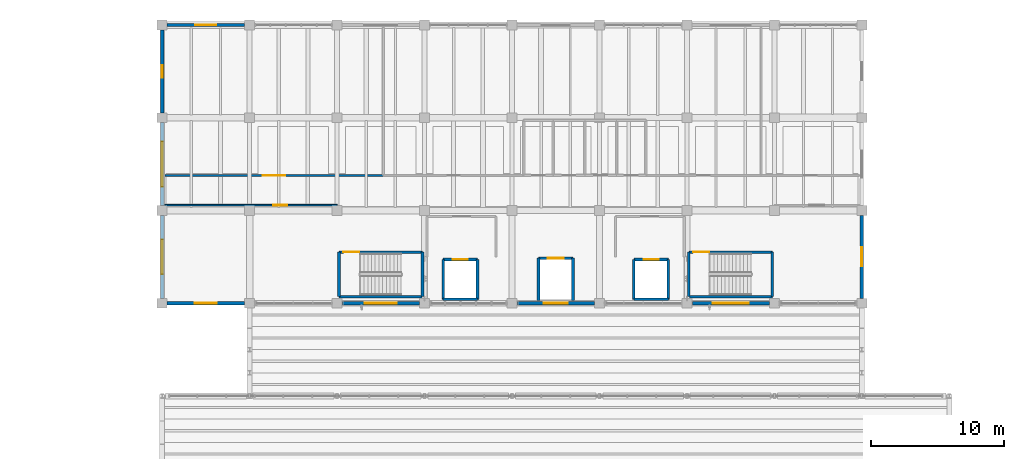
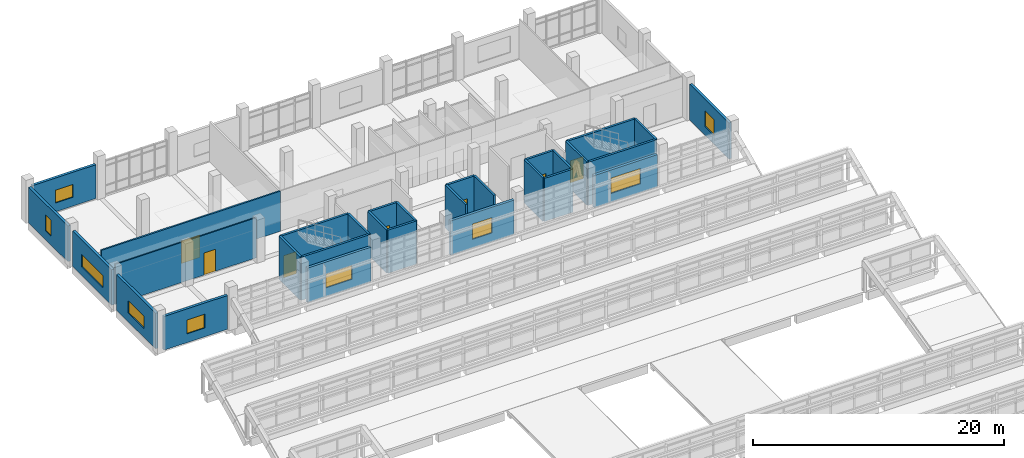
# One storey, part 87 of 92: 30 walls, 9 windows, 7 doors, 16 openings.
"""IFC4 building model written with IfcOpenShell, lengths in metres."""

from ifc_helpers import new_model, si_unit, direction, frame, frame_2d, origin, place, context, subcontext, project, spatial, rectangle, extrude, material, layer, layer_set, type_object, element, fill, save


model = new_model("IFC4")

# Units and contexts
model_context = context("Model", 3, precision=1e-05, world=origin(), true_north=direction((0.0, 1.0)))
body_context = subcontext(model_context, "Body", "Model", "MODEL_VIEW")
ifc_project = project(units=[si_unit("LENGTHUNIT", "METRE"), si_unit("AREAUNIT", "SQUARE_METRE"), si_unit("VOLUMEUNIT", "CUBIC_METRE"), si_unit("PLANEANGLEUNIT", "RADIAN"), si_unit("MASSUNIT", "GRAM", prefix="KILO")], contexts=[model_context])

# Site, building, storey
site_placement = place(None, origin())
site = spatial("IfcSite", under=ifc_project, at=site_placement, CompositionType="ELEMENT")
building_placement = place(site_placement, origin())
building = spatial("IfcBuilding", under=site, at=building_placement, Name="Ciguamira Faculty of Natural Sciences", CompositionType="ELEMENT")
storey_placement = place(building_placement, frame((0.0, 0.0, 16.800048828125)))
storey = spatial("IfcBuildingStorey", under=building, at=storey_placement, Name="L04", CompositionType="ELEMENT", Elevation=16.800048828125)

# Wall, opening, window
ifc_material_1 = material(Name="Precast concrete C40/50", Category="concrete")
ifc_layer_1 = layer(ifc_material_1, 0.239990234375, Name="Precast concrete C40/50")
ifc_layer_set_1 = layer_set([ifc_layer_1], Name="Precast concrete C40/50")
wall_type_1 = type_object("IfcWallType", Name="ExtWall_EW-02_240", PredefinedType="SOLIDWALL", material=ifc_layer_set_1)
wall_1_placement = place(storey_placement, frame((57.675048828125, 94.0, 0.0), z_axis=(0.0, 0.0, 1.0), x_axis=(1.0, 0.0, 0.0)))
wall_1 = element("IfcWall", 1, at=wall_1_placement, inside=storey, type_object=wall_type_1, Name="L04 exterior wall 0317", PredefinedType="SOLIDWALL", context=body_context, shape_type="SweptSolid", body=[
    extrude(rectangle(XDim=5.849853515625, YDim=0.239990234375, at=frame_2d((2.9248046875, 0.0))), origin(), (0.0, 0.0, 1.0), 3.284912109375),
])
opening_1_placement = place(wall_1_placement, frame((2.10009765625, 0.0, 0.85009765625)))
opening_1 = element("IfcOpeningElement", 2, at=opening_1_placement, cuts=wall_1, Name="Opening WT-04", PredefinedType="OPENING", context=body_context, shape_type="SweptSolid", body=[
    extrude(rectangle(XDim=1.64990234375, YDim=1.35009765625, at=frame_2d((0.824951171875, 0.675048828125))), frame((0.0, 0.1298828125, 0.0), z_axis=(0.0, -1.0, 0.0), x_axis=(1.0, 0.0, 0.0)), (0.0, 0.0, 1.0), 0.260009765625),
])
ifc_material_2 = material(Name="Hurricane laminated solar glass", Category="glass")
window_type_1 = type_object("IfcWindowType", Name="Window_WT-04_1650x1350", PartitioningType="DOUBLE_PANEL_VERTICAL", PredefinedType="WINDOW", material=ifc_material_2)
window_1_placement = place(opening_1_placement, origin())
window_1 = element("IfcWindow", 3, at=window_1_placement, inside=storey, type_object=window_type_1, Name="L04 facade window 0211", OverallHeight=1.35009765625, OverallWidth=1.64990234375, PartitioningType="SINGLE_PANEL", PredefinedType="WINDOW", context=body_context, shape_type="SweptSolid", body=[
    extrude(rectangle(XDim=1.64990234375, YDim=1.35009765625, at=frame_2d((0.824951171875, 0.675048828125))), frame((0.0, 0.030029296875, 0.0), z_axis=(0.0, -1.0, 0.0), x_axis=(1.0, 0.0, 0.0)), (0.0, 0.0, 1.0), 0.06005859375),
])
fill(opening_1, window_1)

wall_2_placement = place(storey_placement, frame((70.875, 94.0, 0.0), z_axis=(0.0, 0.0, 1.0), x_axis=(1.0, 0.0, 0.0)))
wall_2 = element("IfcWall", 4, at=wall_2_placement, inside=storey, type_object=wall_type_1, Name="L04 exterior wall 0318", PredefinedType="SOLIDWALL", context=body_context, shape_type="SweptSolid", body=[
    extrude(rectangle(XDim=5.85009765625, YDim=0.239990234375, at=frame_2d((2.925048828125, 0.0))), origin(), (0.0, 0.0, 1.0), 3.364990234375),
])
opening_2_placement = place(wall_2_placement, frame((1.72509765625, 0.0, 0.85009765625)))
opening_2 = element("IfcOpeningElement", 5, at=opening_2_placement, cuts=wall_2, Name="Opening WT-07", PredefinedType="OPENING", context=body_context, shape_type="SweptSolid", body=[
    extrude(rectangle(XDim=2.39990234375, YDim=1.35009765625, at=frame_2d((1.199951171875, 0.675048828125))), frame((0.0, 0.1298828125, 0.0), z_axis=(0.0, -1.0, 0.0), x_axis=(1.0, 0.0, 0.0)), (0.0, 0.0, 1.0), 0.260009765625),
])
window_type_2 = type_object("IfcWindowType", Name="Window_WT-07_2400x1350", PartitioningType="DOUBLE_PANEL_VERTICAL", PredefinedType="WINDOW", material=ifc_material_2)
window_2_placement = place(opening_2_placement, origin())
window_2 = element("IfcWindow", 6, at=window_2_placement, inside=storey, type_object=window_type_2, Name="L04 facade window 0212", OverallHeight=1.35009765625, OverallWidth=2.39990234375, PartitioningType="SINGLE_PANEL", PredefinedType="WINDOW", context=body_context, shape_type="SweptSolid", body=[
    extrude(rectangle(XDim=2.39990234375, YDim=1.35009765625, at=frame_2d((1.199951171875, 0.675048828125))), frame((0.0, 0.030029296875, 0.0), z_axis=(0.0, -1.0, 0.0), x_axis=(1.0, 0.0, 0.0)), (0.0, 0.0, 1.0), 0.06005859375),
])
fill(opening_2, window_2)

wall_3_placement = place(storey_placement, frame((84.074951171875, 94.0, 0.0), z_axis=(0.0, 0.0, 1.0), x_axis=(1.0, 0.0, 0.0)))
wall_3 = element("IfcWall", 7, at=wall_3_placement, inside=storey, type_object=wall_type_1, Name="L04 exterior wall 0319", PredefinedType="SOLIDWALL", context=body_context, shape_type="SweptSolid", body=[
    extrude(rectangle(XDim=5.85009765625, YDim=0.239990234375, at=frame_2d((2.925048828125, 0.0))), origin(), (0.0, 0.0, 1.0), 3.344970703125),
])
opening_3_placement = place(wall_3_placement, frame((2.02490234375, 0.0, 0.85009765625)))
opening_3 = element("IfcOpeningElement", 8, at=opening_3_placement, cuts=wall_3, Name="Opening WT-10", PredefinedType="OPENING", context=body_context, shape_type="SweptSolid", body=[
    extrude(rectangle(XDim=1.800048828125, YDim=1.5, at=frame_2d((0.89990234375, 0.75))), frame((0.0, 0.1298828125, 0.0), z_axis=(0.0, -1.0, 0.0), x_axis=(1.0, 0.0, 0.0)), (0.0, 0.0, 1.0), 0.260009765625),
])
window_type_3 = type_object("IfcWindowType", Name="Window_WT-10_1800x1500", PartitioningType="DOUBLE_PANEL_VERTICAL", PredefinedType="WINDOW", material=ifc_material_2)
window_3_placement = place(opening_3_placement, origin())
window_3 = element("IfcWindow", 9, at=window_3_placement, inside=storey, type_object=window_type_3, Name="L04 facade window 0213", OverallHeight=1.5, OverallWidth=1.800048828125, PartitioningType="SINGLE_PANEL", PredefinedType="WINDOW", context=body_context, shape_type="SweptSolid", body=[
    extrude(rectangle(XDim=1.800048828125, YDim=1.5, at=frame_2d((0.89990234375, 0.75))), frame((0.0, 0.030029296875, 0.0), z_axis=(0.0, -1.0, 0.0), x_axis=(1.0, 0.0, 0.0)), (0.0, 0.0, 1.0), 0.06005859375),
])
fill(opening_3, window_3)

wall_4_placement = place(storey_placement, frame((97.27490234375, 94.0, 0.0), z_axis=(0.0, 0.0, 1.0), x_axis=(1.0, 0.0, 0.0)))
wall_4 = element("IfcWall", 10, at=wall_4_placement, inside=storey, type_object=wall_type_1, Name="L04 exterior wall 0320", PredefinedType="SOLIDWALL", context=body_context, shape_type="SweptSolid", body=[
    extrude(rectangle(XDim=5.85009765625, YDim=0.239990234375, at=frame_2d((2.925048828125, 0.0))), origin(), (0.0, 0.0, 1.0), 3.135009765625),
])
opening_4_placement = place(wall_4_placement, frame((1.574951171875, 0.0, 0.85009765625)))
opening_4 = element("IfcOpeningElement", 11, at=opening_4_placement, cuts=wall_4, Name="Opening WT-13", PredefinedType="OPENING", context=body_context, shape_type="SweptSolid", body=[
    extrude(rectangle(XDim=2.699951171875, YDim=1.5, at=frame_2d((1.35009765625, 0.75))), frame((0.0, 0.1298828125, 0.0), z_axis=(0.0, -1.0, 0.0), x_axis=(1.0, 0.0, 0.0)), (0.0, 0.0, 1.0), 0.260009765625),
])
window_type_4 = type_object("IfcWindowType", Name="Window_WT-13_2700x1500", PartitioningType="DOUBLE_PANEL_VERTICAL", PredefinedType="WINDOW", material=ifc_material_2)
window_4_placement = place(opening_4_placement, origin())
window_4 = element("IfcWindow", 12, at=window_4_placement, inside=storey, type_object=window_type_4, Name="L04 facade window 0214", OverallHeight=1.5, OverallWidth=2.699951171875, PartitioningType="SINGLE_PANEL", PredefinedType="WINDOW", context=body_context, shape_type="SweptSolid", body=[
    extrude(rectangle(XDim=2.699951171875, YDim=1.5, at=frame_2d((1.35009765625, 0.75))), frame((0.0, 0.030029296875, 0.0), z_axis=(0.0, -1.0, 0.0), x_axis=(1.0, 0.0, 0.0)), (0.0, 0.0, 1.0), 0.06005859375),
])
fill(opening_4, window_4)

wall_5_placement = place(storey_placement, frame((57.675048828125, 115.0, 0.0), z_axis=(0.0, 0.0, 1.0), x_axis=(1.0, 0.0, 0.0)))
wall_5 = element("IfcWall", 13, at=wall_5_placement, inside=storey, type_object=wall_type_1, Name="L04 exterior wall 0321", PredefinedType="SOLIDWALL", context=body_context, shape_type="SweptSolid", body=[
    extrude(rectangle(XDim=5.849853515625, YDim=0.239990234375, at=frame_2d((2.9248046875, 0.0))), origin(), (0.0, 0.0, 1.0), 3.284912109375),
])
opening_5_placement = place(wall_5_placement, frame((2.125, 0.0, 0.85009765625)))
opening_5 = element("IfcOpeningElement", 14, at=opening_5_placement, cuts=wall_5, Name="Opening WT-16", PredefinedType="OPENING", context=body_context, shape_type="SweptSolid", body=[
    extrude(rectangle(XDim=1.60009765625, YDim=1.25, at=frame_2d((0.800048828125, 0.625))), frame((0.0, 0.1298828125, 0.0), z_axis=(0.0, -1.0, 0.0), x_axis=(1.0, 0.0, 0.0)), (0.0, 0.0, 1.0), 0.260009765625),
])
window_type_5 = type_object("IfcWindowType", Name="Window_WT-16_1600x1250", PartitioningType="DOUBLE_PANEL_VERTICAL", PredefinedType="WINDOW", material=ifc_material_2)
window_5_placement = place(opening_5_placement, origin())
window_5 = element("IfcWindow", 15, at=window_5_placement, inside=storey, type_object=window_type_5, Name="L04 facade window 0215", OverallHeight=1.25, OverallWidth=1.60009765625, PartitioningType="SINGLE_PANEL", PredefinedType="WINDOW", context=body_context, shape_type="SweptSolid", body=[
    extrude(rectangle(XDim=1.60009765625, YDim=1.25, at=frame_2d((0.800048828125, 0.625))), frame((0.0, 0.030029296875, 0.0), z_axis=(0.0, -1.0, 0.0), x_axis=(1.0, 0.0, 0.0)), (0.0, 0.0, 1.0), 0.06005859375),
])
fill(opening_5, window_5)

wall_6_placement = place(storey_placement, frame((57.300048828125, 94.375, 0.0), z_axis=(0.0, 0.0, 1.0), x_axis=(0.0, 1.0, 0.0)))
wall_6 = element("IfcWall", 16, at=wall_6_placement, inside=storey, type_object=wall_type_1, Name="L04 exterior wall 0327", PredefinedType="SOLIDWALL", context=body_context, shape_type="SweptSolid", body=[
    extrude(rectangle(XDim=6.25, YDim=0.239990234375, at=frame_2d((3.125, 0.0))), origin(), (0.0, 0.0, 1.0), 3.46484375),
])
opening_6_placement = place(wall_6_placement, frame((1.824951171875, 0.0, 0.85009765625)))
opening_6 = element("IfcOpeningElement", 17, at=opening_6_placement, cuts=wall_6, Name="Opening WT-32", PredefinedType="OPENING", context=body_context, shape_type="SweptSolid", body=[
    extrude(rectangle(XDim=2.60009765625, YDim=1.199951171875, at=frame_2d((1.300048828125, 0.60009765625))), frame((0.0, 0.1298828125, 0.0), z_axis=(0.0, -1.0, 0.0), x_axis=(1.0, 0.0, 0.0)), (0.0, 0.0, 1.0), 0.260009765625),
])
window_type_6 = type_object("IfcWindowType", Name="Window_WT-32_2600x1200", PartitioningType="DOUBLE_PANEL_VERTICAL", PredefinedType="WINDOW", material=ifc_material_2)
window_6_placement = place(opening_6_placement, origin())
window_6 = element("IfcWindow", 18, at=window_6_placement, inside=storey, type_object=window_type_6, Name="L04 facade window 0219", OverallHeight=1.199951171875, OverallWidth=2.60009765625, PartitioningType="SINGLE_PANEL", PredefinedType="WINDOW", context=body_context, shape_type="SweptSolid", body=[
    extrude(rectangle(XDim=2.60009765625, YDim=1.199951171875, at=frame_2d((1.300048828125, 0.60009765625))), frame((0.0, 0.030029296875, 0.0), z_axis=(0.0, -1.0, 0.0), x_axis=(1.0, 0.0, 0.0)), (0.0, 0.0, 1.0), 0.06005859375),
])
fill(opening_6, window_6)

wall_7_placement = place(storey_placement, frame((57.300048828125, 101.375, 0.0), z_axis=(0.0, 0.0, 1.0), x_axis=(0.0, 1.0, 0.0)))
wall_7 = element("IfcWall", 19, at=wall_7_placement, inside=storey, type_object=wall_type_1, Name="L04 exterior wall 0328", PredefinedType="SOLIDWALL", context=body_context, shape_type="SweptSolid", body=[
    extrude(rectangle(XDim=6.25, YDim=0.239990234375, at=frame_2d((3.125, 0.0))), origin(), (0.0, 0.0, 1.0), 3.46484375),
])
opening_7_placement = place(wall_7_placement, frame((1.425048828125, 0.0, 0.85009765625)))
opening_7 = element("IfcOpeningElement", 20, at=opening_7_placement, cuts=wall_7, Name="Opening WT-34", PredefinedType="OPENING", context=body_context, shape_type="SweptSolid", body=[
    extrude(rectangle(XDim=3.39990234375, YDim=1.199951171875, at=frame_2d((1.699951171875, 0.60009765625))), frame((0.0, 0.1298828125, 0.0), z_axis=(0.0, -1.0, 0.0), x_axis=(1.0, 0.0, 0.0)), (0.0, 0.0, 1.0), 0.260009765625),
])
window_type_7 = type_object("IfcWindowType", Name="Window_WT-34_3400x1200", PartitioningType="DOUBLE_PANEL_VERTICAL", PredefinedType="WINDOW", material=ifc_material_2)
window_7_placement = place(opening_7_placement, origin())
window_7 = element("IfcWindow", 21, at=window_7_placement, inside=storey, type_object=window_type_7, Name="L04 facade window 0220", OverallHeight=1.199951171875, OverallWidth=3.39990234375, PartitioningType="SINGLE_PANEL", PredefinedType="WINDOW", context=body_context, shape_type="SweptSolid", body=[
    extrude(rectangle(XDim=3.39990234375, YDim=1.199951171875, at=frame_2d((1.699951171875, 0.60009765625))), frame((0.0, 0.030029296875, 0.0), z_axis=(0.0, -1.0, 0.0), x_axis=(1.0, 0.0, 0.0)), (0.0, 0.0, 1.0), 0.06005859375),
])
fill(opening_7, window_7)

wall_8_placement = place(storey_placement, frame((57.300048828125, 108.375, 0.0), z_axis=(0.0, 0.0, 1.0), x_axis=(0.0, 1.0, 0.0)))
wall_8 = element("IfcWall", 22, at=wall_8_placement, inside=storey, type_object=wall_type_1, Name="L04 exterior wall 0329", PredefinedType="SOLIDWALL", context=body_context, shape_type="SweptSolid", body=[
    extrude(rectangle(XDim=6.25, YDim=0.239990234375, at=frame_2d((3.125, 0.0))), origin(), (0.0, 0.0, 1.0), 3.46484375),
])
opening_8_placement = place(wall_8_placement, frame((2.64990234375, 0.0, 0.85009765625)))
opening_8 = element("IfcOpeningElement", 23, at=opening_8_placement, cuts=wall_8, Name="Opening WT-36", PredefinedType="OPENING", context=body_context, shape_type="SweptSolid", body=[
    extrude(rectangle(XDim=0.949951171875, YDim=1.550048828125, at=frame_2d((0.47509765625, 0.77490234375))), frame((0.0, 0.1298828125, 0.0), z_axis=(0.0, -1.0, 0.0), x_axis=(1.0, 0.0, 0.0)), (0.0, 0.0, 1.0), 0.260009765625),
])
window_type_8 = type_object("IfcWindowType", Name="Window_WT-36_950x1550", PartitioningType="DOUBLE_PANEL_VERTICAL", PredefinedType="WINDOW", material=ifc_material_2)
window_8_placement = place(opening_8_placement, origin())
window_8 = element("IfcWindow", 24, at=window_8_placement, inside=storey, type_object=window_type_8, Name="L04 facade window 0221", OverallHeight=1.550048828125, OverallWidth=0.949951171875, PartitioningType="SINGLE_PANEL", PredefinedType="WINDOW", context=body_context, shape_type="SweptSolid", body=[
    extrude(rectangle(XDim=0.949951171875, YDim=1.550048828125, at=frame_2d((0.47509765625, 0.77490234375))), frame((0.0, 0.030029296875, 0.0), z_axis=(0.0, -1.0, 0.0), x_axis=(1.0, 0.0, 0.0)), (0.0, 0.0, 1.0), 0.06005859375),
])
fill(opening_8, window_8)

wall_9_placement = place(storey_placement, frame((110.10009765625, 94.375, 0.0), z_axis=(0.0, 0.0, 1.0), x_axis=(0.0, 1.0, 0.0)))
wall_9 = element("IfcWall", 25, at=wall_9_placement, inside=storey, type_object=wall_type_1, Name="L04 exterior wall 0330", PredefinedType="SOLIDWALL", context=body_context, shape_type="SweptSolid", body=[
    extrude(rectangle(XDim=6.25, YDim=0.239990234375, at=frame_2d((3.125, 0.0))), origin(), (0.0, 0.0, 1.0), 3.5048828125),
])
opening_9_placement = place(wall_9_placement, frame((2.39990234375, 0.0, 0.85009765625)))
opening_9 = element("IfcOpeningElement", 26, at=opening_9_placement, cuts=wall_9, Name="Opening WT-38", PredefinedType="OPENING", context=body_context, shape_type="SweptSolid", body=[
    extrude(rectangle(XDim=1.449951171875, YDim=1.550048828125, at=frame_2d((0.72509765625, 0.77490234375))), frame((0.0, 0.1298828125, 0.0), z_axis=(0.0, -1.0, 0.0), x_axis=(1.0, 0.0, 0.0)), (0.0, 0.0, 1.0), 0.260009765625),
])
window_type_9 = type_object("IfcWindowType", Name="Window_WT-38_1450x1550", PartitioningType="DOUBLE_PANEL_VERTICAL", PredefinedType="WINDOW", material=ifc_material_2)
window_9_placement = place(opening_9_placement, origin())
window_9 = element("IfcWindow", 27, at=window_9_placement, inside=storey, type_object=window_type_9, Name="L04 facade window 0222", OverallHeight=1.550048828125, OverallWidth=1.449951171875, PartitioningType="SINGLE_PANEL", PredefinedType="WINDOW", context=body_context, shape_type="SweptSolid", body=[
    extrude(rectangle(XDim=1.449951171875, YDim=1.550048828125, at=frame_2d((0.72509765625, 0.77490234375))), frame((0.0, 0.030029296875, 0.0), z_axis=(0.0, -1.0, 0.0), x_axis=(1.0, 0.0, 0.0)), (0.0, 0.0, 1.0), 0.06005859375),
])
fill(opening_9, window_9)

# Wall
ifc_material_3 = material(Name="Concrete C40/50", Category="concrete")
ifc_layer_2 = layer(ifc_material_3, 0.199951171875, Name="Concrete C40/50")
ifc_layer_set_2 = layer_set([ifc_layer_2], Name="Concrete C40/50")
wall_type_2 = type_object("IfcWallType", Name="IntWall_CW-S20_200", PredefinedType="SHEAR", material=ifc_layer_set_2)
wall_10_placement = place(storey_placement, frame((70.64990234375, 94.5, 0.0), z_axis=(0.0, 0.0, 1.0), x_axis=(1.0, 0.0, 0.0)))
element("IfcWall", 28, at=wall_10_placement, inside=storey, type_object=wall_type_2, Name="L04 ST-T1 core shear wall south", PredefinedType="SHEAR", context=body_context, shape_type="SweptSolid", body=[
    extrude(rectangle(XDim=6.300048828125, YDim=0.199951171875, at=frame_2d((3.14990234375, 0.0))), origin(), (0.0, 0.0, 1.0), 4.199951171875),
])

# Wall, opening, door
wall_11_placement = place(storey_placement, frame((70.64990234375, 97.860107421875, 0.0), z_axis=(0.0, 0.0, 1.0), x_axis=(1.0, 0.0, 0.0)))
wall_11 = element("IfcWall", 29, at=wall_11_placement, inside=storey, type_object=wall_type_2, Name="L04 ST-T1 core shear wall north", PredefinedType="SHEAR", context=body_context, shape_type="SweptSolid", body=[
    extrude(rectangle(XDim=6.300048828125, YDim=0.199951171875, at=frame_2d((3.14990234375, 0.0))), origin(), (0.0, 0.0, 1.0), 4.199951171875),
])
opening_10_placement = place(wall_11_placement, frame((0.320068359375, 0.0, 0.0)))
opening_10 = element("IfcOpeningElement", 30, at=opening_10_placement, cuts=wall_11, Name="Opening ID-14", PredefinedType="OPENING", context=body_context, shape_type="SweptSolid", body=[
    extrude(rectangle(XDim=1.199951171875, YDim=2.14990234375, at=frame_2d((0.60009765625, 1.074951171875))), frame((0.0, 0.10986328125, 0.0), z_axis=(0.0, -1.0, 0.0), x_axis=(1.0, 0.0, 0.0)), (0.0, 0.0, 1.0), 0.219970703125),
])
ifc_material_4 = material(Name="Protected exit stair fire door")
door_type_1 = type_object("IfcDoorType", Name="IntDoor_ID-14_1200x2150", OperationType="NOTDEFINED", PredefinedType="DOOR", material=ifc_material_4)
door_1_placement = place(opening_10_placement, frame((1.199951171875, 0.0, 0.0), z_axis=(0.0, 0.0, 1.0), x_axis=(-1.0, 0.0, 0.0)))
door_1 = element("IfcDoor", 31, at=door_1_placement, inside=storey, type_object=door_type_1, Name="L04 ST-T1 exit stair fire door", OperationType="SINGLE_SWING_RIGHT", OverallHeight=2.14990234375, OverallWidth=1.199951171875, PredefinedType="DOOR", context=body_context, shape_type="SweptSolid", body=[
    extrude(rectangle(XDim=1.199951171875, YDim=2.14990234375, at=frame_2d((0.60009765625, 1.074951171875))), frame((0.0, 0.02490234375, 0.0), z_axis=(0.0, -1.0, 0.0), x_axis=(1.0, 0.0, 0.0)), (0.0, 0.0, 1.0), 0.050048828125),
])
fill(opening_10, door_1)

# Walls
for number, where, z_axis, x_axis, name in (
    (32, (70.64990234375, 94.5, 0.0), (0.0, 0.0, 1.0), (0.0, 1.0, 0.0), "L04 ST-T1 core shear wall west"),
    (33, (76.949951171875, 94.5, 0.0), (0.0, 0.0, 1.0), (0.0, 1.0, 0.0), "L04 ST-T1 core shear wall east"),
):
    element("IfcWall", number, at=place(storey_placement, frame(where, z_axis=z_axis, x_axis=x_axis)), inside=storey, type_object=wall_type_2, Name=name, PredefinedType="SHEAR", context=body_context, shape_type="SweptSolid", body=[
        extrude(rectangle(XDim=3.360107421875, YDim=0.199951171875, at=frame_2d((1.68017578125, 0.0))), origin(), (0.0, 0.0, 1.0), 4.199951171875),
    ])
wall_12_placement = place(storey_placement, frame((97.050048828125, 94.5, 0.0), z_axis=(0.0, 0.0, 1.0), x_axis=(1.0, 0.0, 0.0)))
element("IfcWall", 34, at=wall_12_placement, inside=storey, type_object=wall_type_2, Name="L04 ST-T2 core shear wall south", PredefinedType="SHEAR", context=body_context, shape_type="SweptSolid", body=[
    extrude(rectangle(XDim=6.300048828125, YDim=0.199951171875, at=frame_2d((3.14990234375, 0.0))), origin(), (0.0, 0.0, 1.0), 4.199951171875),
])

# Wall, opening, door
wall_13_placement = place(storey_placement, frame((97.050048828125, 97.860107421875, 0.0), z_axis=(0.0, 0.0, 1.0), x_axis=(1.0, 0.0, 0.0)))
wall_13 = element("IfcWall", 35, at=wall_13_placement, inside=storey, type_object=wall_type_2, Name="L04 ST-T2 core shear wall north", PredefinedType="SHEAR", context=body_context, shape_type="SweptSolid", body=[
    extrude(rectangle(XDim=6.300048828125, YDim=0.199951171875, at=frame_2d((3.14990234375, 0.0))), origin(), (0.0, 0.0, 1.0), 4.199951171875),
])
opening_11_placement = place(wall_13_placement, frame((0.320068359375, 0.0, 0.0)))
opening_11 = element("IfcOpeningElement", 36, at=opening_11_placement, cuts=wall_13, Name="Opening ID-14", PredefinedType="OPENING", context=body_context, shape_type="SweptSolid", body=[
    extrude(rectangle(XDim=1.199951171875, YDim=2.14990234375, at=frame_2d((0.60009765625, 1.074951171875))), frame((0.0, 0.10986328125, 0.0), z_axis=(0.0, -1.0, 0.0), x_axis=(1.0, 0.0, 0.0)), (0.0, 0.0, 1.0), 0.219970703125),
])
door_2_placement = place(opening_11_placement, frame((1.199951171875, 0.0, 0.0), z_axis=(0.0, 0.0, 1.0), x_axis=(-1.0, 0.0, 0.0)))
door_2 = element("IfcDoor", 37, at=door_2_placement, inside=storey, type_object=door_type_1, Name="L04 ST-T2 exit stair fire door", OperationType="SINGLE_SWING_LEFT", OverallHeight=2.14990234375, OverallWidth=1.199951171875, PredefinedType="DOOR", context=body_context, shape_type="SweptSolid", body=[
    extrude(rectangle(XDim=1.199951171875, YDim=2.14990234375, at=frame_2d((0.60009765625, 1.074951171875))), frame((0.0, 0.02490234375, 0.0), z_axis=(0.0, -1.0, 0.0), x_axis=(1.0, 0.0, 0.0)), (0.0, 0.0, 1.0), 0.050048828125),
])
fill(opening_11, door_2)

# Walls
for number, where, z_axis, x_axis, name in (
    (38, (97.050048828125, 94.5, 0.0), (0.0, 0.0, 1.0), (0.0, 1.0, 0.0), "L04 ST-T2 core shear wall west"),
    (39, (103.35009765625, 94.5, 0.0), (0.0, 0.0, 1.0), (0.0, 1.0, 0.0), "L04 ST-T2 core shear wall east"),
):
    element("IfcWall", number, at=place(storey_placement, frame(where, z_axis=z_axis, x_axis=x_axis)), inside=storey, type_object=wall_type_2, Name=name, PredefinedType="SHEAR", context=body_context, shape_type="SweptSolid", body=[
        extrude(rectangle(XDim=3.360107421875, YDim=0.199951171875, at=frame_2d((1.68017578125, 0.0))), origin(), (0.0, 0.0, 1.0), 4.199951171875),
    ])
wall_14_placement = place(storey_placement, frame((78.5, 94.300048828125, 0.0), z_axis=(0.0, 0.0, 1.0), x_axis=(1.0, 0.0, 0.0)))
element("IfcWall", 40, at=wall_14_placement, inside=storey, type_object=wall_type_2, Name="L04 EL-FF1 hoistway wall south", PredefinedType="SHEAR", context=body_context, shape_type="SweptSolid", body=[
    extrude(rectangle(XDim=2.60009765625, YDim=0.199951171875, at=frame_2d((1.300048828125, 0.0))), origin(), (0.0, 0.0, 1.0), 4.199951171875),
])

# Wall, opening, door
wall_15_placement = place(storey_placement, frame((78.5, 97.300048828125, 0.0), z_axis=(0.0, 0.0, 1.0), x_axis=(1.0, 0.0, 0.0)))
wall_15 = element("IfcWall", 41, at=wall_15_placement, inside=storey, type_object=wall_type_2, Name="L04 EL-FF1 hoistway wall north", PredefinedType="SHEAR", context=body_context, shape_type="SweptSolid", body=[
    extrude(rectangle(XDim=2.60009765625, YDim=0.199951171875, at=frame_2d((1.300048828125, 0.0))), origin(), (0.0, 0.0, 1.0), 4.199951171875),
])
opening_12_placement = place(wall_15_placement, frame((0.72509765625, 0.0, 0.0)))
opening_12 = element("IfcOpeningElement", 42, at=opening_12_placement, cuts=wall_15, Name="Opening LD-03", PredefinedType="OPENING", context=body_context, shape_type="SweptSolid", body=[
    extrude(rectangle(XDim=1.14990234375, YDim=2.199951171875, at=frame_2d((0.574951171875, 1.10009765625))), frame((0.0, 0.10986328125, 0.0), z_axis=(0.0, -1.0, 0.0), x_axis=(1.0, 0.0, 0.0)), (0.0, 0.0, 1.0), 0.219970703125),
])
ifc_material_5 = material(Name="Firefighting lift sliding landing door")
door_type_2 = type_object("IfcDoorType", Name="LiftLandingDoor_LD-03_1150x2200", OperationType="SLIDING_TO_LEFT", PredefinedType="DOOR", material=ifc_material_5)
door_3_placement = place(opening_12_placement, origin())
door_3 = element("IfcDoor", 43, at=door_3_placement, inside=storey, type_object=door_type_2, Name="L04 EL-FF1 elevator landing sliding door", OperationType="SLIDING_TO_LEFT", OverallHeight=2.199951171875, OverallWidth=1.14990234375, PredefinedType="DOOR", context=body_context, shape_type="SweptSolid", body=[
    extrude(rectangle(XDim=1.14990234375, YDim=2.199951171875, at=frame_2d((0.574951171875, 1.10009765625))), frame((0.0, 0.02490234375, 0.0), z_axis=(0.0, -1.0, 0.0), x_axis=(1.0, 0.0, 0.0)), (0.0, 0.0, 1.0), 0.050048828125),
])
fill(opening_12, door_3)

# Walls
for number, where, z_axis, x_axis, name in (
    (44, (78.5, 94.300048828125, 0.0), (0.0, 0.0, 1.0), (0.0, 1.0, 0.0), "L04 EL-FF1 hoistway wall west"),
    (45, (81.10009765625, 94.300048828125, 0.0), (0.0, 0.0, 1.0), (0.0, 1.0, 0.0), "L04 EL-FF1 hoistway wall east"),
):
    element("IfcWall", number, at=place(storey_placement, frame(where, z_axis=z_axis, x_axis=x_axis)), inside=storey, type_object=wall_type_2, Name=name, PredefinedType="SHEAR", context=body_context, shape_type="SweptSolid", body=[
        extrude(rectangle(XDim=3.0, YDim=0.199951171875, at=frame_2d((1.5, 0.0))), origin(), (0.0, 0.0, 1.0), 4.199951171875),
    ])
wall_16_placement = place(storey_placement, frame((92.89990234375, 94.300048828125, 0.0), z_axis=(0.0, 0.0, 1.0), x_axis=(1.0, 0.0, 0.0)))
element("IfcWall", 46, at=wall_16_placement, inside=storey, type_object=wall_type_2, Name="L04 EL-FF2 hoistway wall south", PredefinedType="SHEAR", context=body_context, shape_type="SweptSolid", body=[
    extrude(rectangle(XDim=2.60009765625, YDim=0.199951171875, at=frame_2d((1.300048828125, 0.0))), origin(), (0.0, 0.0, 1.0), 4.199951171875),
])

# Wall, opening, door
wall_17_placement = place(storey_placement, frame((92.89990234375, 97.300048828125, 0.0), z_axis=(0.0, 0.0, 1.0), x_axis=(1.0, 0.0, 0.0)))
wall_17 = element("IfcWall", 47, at=wall_17_placement, inside=storey, type_object=wall_type_2, Name="L04 EL-FF2 hoistway wall north", PredefinedType="SHEAR", context=body_context, shape_type="SweptSolid", body=[
    extrude(rectangle(XDim=2.60009765625, YDim=0.199951171875, at=frame_2d((1.300048828125, 0.0))), origin(), (0.0, 0.0, 1.0), 4.199951171875),
])
opening_13_placement = place(wall_17_placement, frame((0.72509765625, 0.0, 0.0)))
opening_13 = element("IfcOpeningElement", 48, at=opening_13_placement, cuts=wall_17, Name="Opening LD-03", PredefinedType="OPENING", context=body_context, shape_type="SweptSolid", body=[
    extrude(rectangle(XDim=1.14990234375, YDim=2.199951171875, at=frame_2d((0.574951171875, 1.10009765625))), frame((0.0, 0.10986328125, 0.0), z_axis=(0.0, -1.0, 0.0), x_axis=(1.0, 0.0, 0.0)), (0.0, 0.0, 1.0), 0.219970703125),
])
door_4_placement = place(opening_13_placement, origin())
door_4 = element("IfcDoor", 49, at=door_4_placement, inside=storey, type_object=door_type_2, Name="L04 EL-FF2 elevator landing sliding door", OperationType="SLIDING_TO_LEFT", OverallHeight=2.199951171875, OverallWidth=1.14990234375, PredefinedType="DOOR", context=body_context, shape_type="SweptSolid", body=[
    extrude(rectangle(XDim=1.14990234375, YDim=2.199951171875, at=frame_2d((0.574951171875, 1.10009765625))), frame((0.0, 0.02490234375, 0.0), z_axis=(0.0, -1.0, 0.0), x_axis=(1.0, 0.0, 0.0)), (0.0, 0.0, 1.0), 0.050048828125),
])
fill(opening_13, door_4)

# Walls
for number, where, z_axis, x_axis, name in (
    (50, (92.89990234375, 94.300048828125, 0.0), (0.0, 0.0, 1.0), (0.0, 1.0, 0.0), "L04 EL-FF2 hoistway wall west"),
    (51, (95.5, 94.300048828125, 0.0), (0.0, 0.0, 1.0), (0.0, 1.0, 0.0), "L04 EL-FF2 hoistway wall east"),
):
    element("IfcWall", number, at=place(storey_placement, frame(where, z_axis=z_axis, x_axis=x_axis)), inside=storey, type_object=wall_type_2, Name=name, PredefinedType="SHEAR", context=body_context, shape_type="SweptSolid", body=[
        extrude(rectangle(XDim=3.0, YDim=0.199951171875, at=frame_2d((1.5, 0.0))), origin(), (0.0, 0.0, 1.0), 4.199951171875),
    ])

# Wall, opening, door
wall_18_placement = place(storey_placement, frame((85.699951171875, 97.39990234375, 0.0), z_axis=(0.0, 0.0, 1.0), x_axis=(1.0, 0.0, 0.0)))
wall_18 = element("IfcWall", 52, at=wall_18_placement, inside=storey, type_object=wall_type_2, Name="L04 EL-P1 hoistway wall north", PredefinedType="SHEAR", context=body_context, shape_type="SweptSolid", body=[
    extrude(rectangle(XDim=2.60009765625, YDim=0.199951171875, at=frame_2d((1.300048828125, 0.0))), origin(), (0.0, 0.0, 1.0), 4.199951171875),
])
opening_14_placement = place(wall_18_placement, frame((0.699951171875, 0.0, 0.0)))
opening_14 = element("IfcOpeningElement", 53, at=opening_14_placement, cuts=wall_18, Name="Opening LD-02", PredefinedType="OPENING", context=body_context, shape_type="SweptSolid", body=[
    extrude(rectangle(XDim=1.199951171875, YDim=2.199951171875, at=frame_2d((0.60009765625, 1.10009765625))), frame((0.0, 0.10986328125, 0.0), z_axis=(0.0, -1.0, 0.0), x_axis=(1.0, 0.0, 0.0)), (0.0, 0.0, 1.0), 0.219970703125),
])
ifc_material_6 = material(Name="Stretcher elevator sliding landing door")
door_type_3 = type_object("IfcDoorType", Name="LiftLandingDoor_LD-02_1200x2200", OperationType="SLIDING_TO_LEFT", PredefinedType="DOOR", material=ifc_material_6)
door_5_placement = place(opening_14_placement, origin())
door_5 = element("IfcDoor", 54, at=door_5_placement, inside=storey, type_object=door_type_3, Name="L04 EL-P1 elevator landing sliding door", OperationType="SLIDING_TO_LEFT", OverallHeight=2.199951171875, OverallWidth=1.199951171875, PredefinedType="DOOR", context=body_context, shape_type="SweptSolid", body=[
    extrude(rectangle(XDim=1.199951171875, YDim=2.199951171875, at=frame_2d((0.60009765625, 1.10009765625))), frame((0.0, 0.02490234375, 0.0), z_axis=(0.0, -1.0, 0.0), x_axis=(1.0, 0.0, 0.0)), (0.0, 0.0, 1.0), 0.050048828125),
])
fill(opening_14, door_5)

# Walls
for number, where, z_axis, x_axis, name in (
    (55, (85.699951171875, 94.199951171875, 0.0), (0.0, 0.0, 1.0), (0.0, 1.0, 0.0), "L04 EL-P1 hoistway wall west"),
    (56, (88.300048828125, 94.199951171875, 0.0), (0.0, 0.0, 1.0), (0.0, 1.0, 0.0), "L04 EL-P1 hoistway wall east"),
):
    element("IfcWall", number, at=place(storey_placement, frame(where, z_axis=z_axis, x_axis=x_axis)), inside=storey, type_object=wall_type_2, Name=name, PredefinedType="SHEAR", context=body_context, shape_type="SweptSolid", body=[
        extrude(rectangle(XDim=3.199951171875, YDim=0.199951171875, at=frame_2d((1.60009765625, 0.0))), origin(), (0.0, 0.0, 1.0), 4.199951171875),
    ])

# Wall, opening, door
ifc_material_7 = material(Name="Acoustic double-stud gypsum partition")
ifc_layer_3 = layer(ifc_material_7, 0.1201171875, Name="Acoustic double-stud gypsum partition")
ifc_layer_set_3 = layer_set([ifc_layer_3], Name="Acoustic double-stud gypsum partition")
wall_type_3 = type_object("IfcWallType", Name="IntWall_IW-A12_120", PredefinedType="PARTITIONING", material=ifc_layer_set_3)
wall_19_placement = place(storey_placement, frame((57.5, 101.39990234375, 0.0), z_axis=(0.0, 0.0, 1.0), x_axis=(1.0, 0.0, 0.0)))
wall_19 = element("IfcWall", 57, at=wall_19_placement, inside=storey, type_object=wall_type_3, Name="L04 Geology Seminar Room partition north", PredefinedType="PARTITIONING", context=body_context, shape_type="SweptSolid", body=[
    extrude(rectangle(XDim=13.0, YDim=0.1201171875, at=frame_2d((6.5, 0.0))), origin(), (0.0, 0.0, 1.0), 3.89990234375),
])
opening_15_placement = place(wall_19_placement, frame((8.175048828125, 0.0, 0.0)))
opening_15 = element("IfcOpeningElement", 58, at=opening_15_placement, cuts=wall_19, Name="Opening ID-04", PredefinedType="OPENING", context=body_context, shape_type="SweptSolid", body=[
    extrude(rectangle(XDim=1.050048828125, YDim=2.14990234375, at=frame_2d((0.52490234375, 1.074951171875))), frame((0.0, 0.070068359375, 0.0), z_axis=(0.0, -1.0, 0.0), x_axis=(1.0, 0.0, 0.0)), (0.0, 0.0, 1.0), 0.14013671875),
])
ifc_material_8 = material(Name="Seminar acoustic single door")
door_type_4 = type_object("IfcDoorType", Name="IntDoor_ID-04_1050x2150", OperationType="NOTDEFINED", PredefinedType="DOOR", material=ifc_material_8)
door_6_placement = place(opening_15_placement, frame((1.050048828125, 0.0, 0.0), z_axis=(0.0, 0.0, 1.0), x_axis=(-1.0, 0.0, 0.0)))
door_6 = element("IfcDoor", 59, at=door_6_placement, inside=storey, type_object=door_type_4, Name="L04 Geology Seminar Room door", OperationType="SINGLE_SWING_LEFT", OverallHeight=2.14990234375, OverallWidth=1.050048828125, PredefinedType="DOOR", context=body_context, shape_type="SweptSolid", body=[
    extrude(rectangle(XDim=1.050048828125, YDim=2.14990234375, at=frame_2d((0.52490234375, 1.074951171875))), frame((0.0, 0.02490234375, 0.0), z_axis=(0.0, -1.0, 0.0), x_axis=(1.0, 0.0, 0.0)), (0.0, 0.0, 1.0), 0.050048828125),
])
fill(opening_15, door_6)

ifc_material_9 = material(Name="Acoustic laboratory corridor partition")
ifc_layer_4 = layer(ifc_material_9, 0.14990234375, Name="Acoustic laboratory corridor partition")
ifc_layer_set_4 = layer_set([ifc_layer_4], Name="Acoustic laboratory corridor partition")
wall_type_4 = type_object("IfcWallType", Name="IntWall_IW-G15_150", PredefinedType="PARTITIONING", material=ifc_layer_set_4)
wall_20_placement = place(storey_placement, frame((57.5, 103.64990234375, 0.0), z_axis=(0.0, 0.0, 1.0), x_axis=(1.0, 0.0, 0.0)))
wall_20 = element("IfcWall", 60, at=wall_20_placement, inside=storey, type_object=wall_type_4, Name="L04 Karst Hydrogeology Research Laboratory partition south", PredefinedType="PARTITIONING", context=body_context, shape_type="SweptSolid", body=[
    extrude(rectangle(XDim=16.5, YDim=0.14990234375, at=frame_2d((8.25, 0.0))), origin(), (0.0, 0.0, 1.0), 3.89990234375),
])
opening_16_placement = place(wall_20_placement, frame((7.39990234375, 0.0, 0.0)))
opening_16 = element("IfcOpeningElement", 61, at=opening_16_placement, cuts=wall_20, Name="Opening ID-18", PredefinedType="OPENING", context=body_context, shape_type="SweptSolid", body=[
    extrude(rectangle(XDim=1.699951171875, YDim=2.199951171875, at=frame_2d((0.85009765625, 1.10009765625))), frame((0.0, 0.0849609375, 0.0), z_axis=(0.0, -1.0, 0.0), x_axis=(1.0, 0.0, 0.0)), (0.0, 0.0, 1.0), 0.169921875),
])
ifc_material_10 = material(Name="Archive vault rated door")
door_type_5 = type_object("IfcDoorType", Name="IntDoor_ID-18_1700x2200", OperationType="NOTDEFINED", PredefinedType="DOOR", material=ifc_material_10)
door_7_placement = place(opening_16_placement, origin())
door_7 = element("IfcDoor", 62, at=door_7_placement, inside=storey, type_object=door_type_5, Name="L04 Karst Hydrogeology Research Laboratory door", OperationType="SINGLE_SWING_LEFT", OverallHeight=2.199951171875, OverallWidth=1.699951171875, PredefinedType="DOOR", context=body_context, shape_type="SweptSolid", body=[
    extrude(rectangle(XDim=1.699951171875, YDim=2.199951171875, at=frame_2d((0.85009765625, 1.10009765625))), frame((0.0, 0.02490234375, 0.0), z_axis=(0.0, -1.0, 0.0), x_axis=(1.0, 0.0, 0.0)), (0.0, 0.0, 1.0), 0.050048828125),
])
fill(opening_16, door_7)

save(model, "model.ifc")
